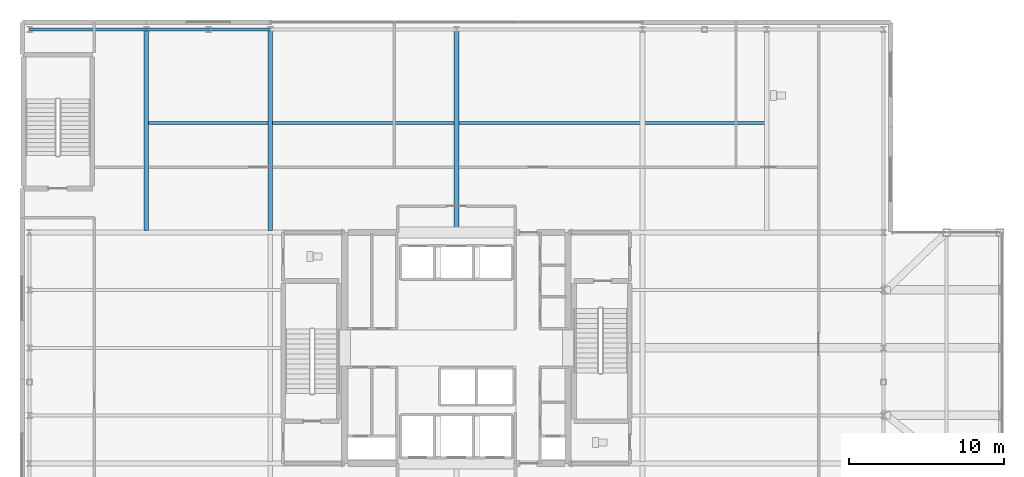
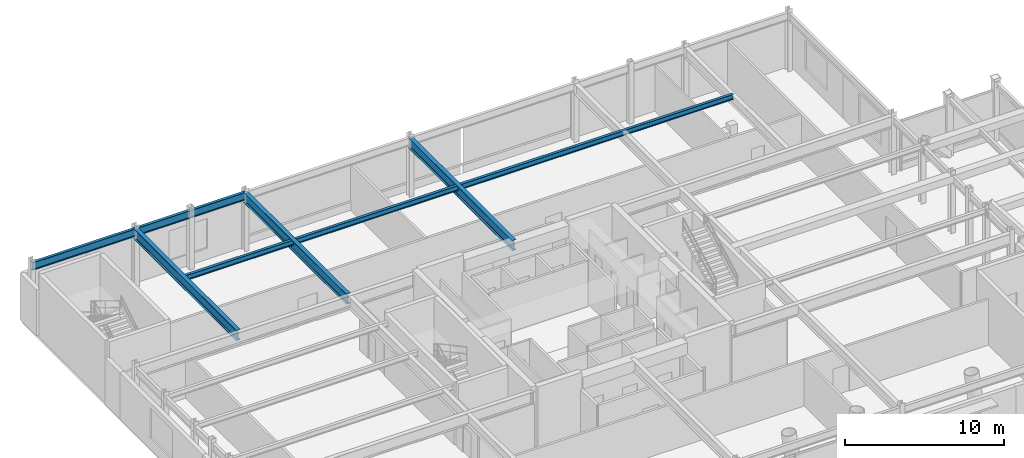
# One storey, part 13 of 26: 6 beams.
"""IFC4 building model written with IfcOpenShell, lengths in metres."""

from ifc_helpers import new_model, si_unit, direction, frame, origin, origin_2d, place, context, subcontext, project, spatial, i_section, extrude, material, material_profile, profile_set, type_object, element, save


model = new_model("IFC4")

# Units and contexts
model_context = context("Model", 3, precision=1e-05, world=origin(), true_north=direction((0.0, 1.0)))
body_context = subcontext(model_context, "Body", "Model", "MODEL_VIEW")
ifc_project = project(units=[si_unit("LENGTHUNIT", "METRE"), si_unit("AREAUNIT", "SQUARE_METRE"), si_unit("VOLUMEUNIT", "CUBIC_METRE"), si_unit("PLANEANGLEUNIT", "RADIAN"), si_unit("MASSUNIT", "GRAM", prefix="KILO")], contexts=[model_context])

# Site, building, storey
site_placement = place(None, origin())
site = spatial("IfcSite", under=ifc_project, at=site_placement, CompositionType="ELEMENT")
building_placement = place(site_placement, origin())
building = spatial("IfcBuilding", under=site, at=building_placement, Name="Veldorina Hangang Commons", CompositionType="ELEMENT")
storey_placement = place(building_placement, frame((0.0, 0.0, 10.0)))
storey = spatial("IfcBuildingStorey", under=building, at=storey_placement, Name="L02", CompositionType="ELEMENT", Elevation=10.0)

# Beams
ifc_material_1 = material(Name="Steel SM355-TMC", Category="steel")
ifc_material_profile_1 = material_profile(ifc_material_1, i_section(OverallWidth=0.199951171875, OverallDepth=0.39990234375, WebThickness=0.008056640625, FlangeThickness=0.012939453125, FilletRadius=0.012939453125, at=origin_2d()), Name="H-400x200x8x13")
ifc_profile_set_1 = profile_set([ifc_material_profile_1], Name="Steel SM355-TMC")
beam_type_1 = type_object("IfcBeamType", Name="BM-JST400", PredefinedType="JOIST", material=ifc_profile_set_1)
beam_1_placement = place(storey_placement, frame((12.0, 38.5, 4.300048828125), z_axis=(1.0, 0.0, 0.0), x_axis=(0.0, 1.0, 0.0)))
element("IfcBeam", 1, at=beam_1_placement, inside=storey, type_object=beam_type_1, Name="L02 north floor joist 4", PredefinedType="JOIST", context=body_context, shape_type="SweptSolid", body=[
    extrude(i_section(OverallWidth=0.199951171875, OverallDepth=0.39990234375, WebThickness=0.008056640625, FlangeThickness=0.012939453125, FilletRadius=0.012939453125, at=origin_2d()), origin(), (0.0, 0.0, 1.0), 40.0),
])
ifc_material_2 = material(Name="Steel SM460-TMC", Category="steel")
ifc_material_profile_2 = material_profile(ifc_material_2, i_section(OverallWidth=0.300048828125, OverallDepth=0.800048828125, WebThickness=0.013916015625, FlangeThickness=0.02587890625, FilletRadius=0.02197265625, at=origin_2d()), Name="H-800x300x14x26")
ifc_profile_set_2 = profile_set([ifc_material_profile_2], Name="Steel SM460-TMC")
beam_type_2 = type_object("IfcBeamType", Name="BM-PG800", PredefinedType="BEAM", material=ifc_profile_set_2)
for number, where, z_axis, x_axis, name in (
    (2, (12.0, 31.590087890625, 4.10009765625), (0.0, 1.0, 0.0), (-1.0, 0.0, 0.0), "L02 north primary girder G2"),
    (3, (20.0, 31.590087890625, 4.10009765625), (0.0, 1.0, 0.0), (-1.0, 0.0, 0.0), "L02 north primary girder G3"),
):
    element("IfcBeam", number, at=place(storey_placement, frame(where, z_axis=z_axis, x_axis=x_axis)), inside=storey, type_object=beam_type_2, Name=name, PredefinedType="BEAM", context=body_context, shape_type="SweptSolid", body=[
        extrude(i_section(OverallWidth=0.300048828125, OverallDepth=0.800048828125, WebThickness=0.013916015625, FlangeThickness=0.02587890625, FilletRadius=0.02197265625, at=origin_2d()), origin(), (0.0, 0.0, 1.0), 12.9599609375),
    ])
beam_2_placement = place(storey_placement, frame((32.0, 31.449951171875, 4.10009765625), z_axis=(0.0, 1.0, 0.0), x_axis=(-1.0, 0.0, 0.0)))
element("IfcBeam", 4, at=beam_2_placement, inside=storey, type_object=beam_type_2, Name="L02 north primary girder G5", PredefinedType="BEAM", context=body_context, shape_type="SweptSolid", body=[
    extrude(i_section(OverallWidth=0.300048828125, OverallDepth=0.800048828125, WebThickness=0.013916015625, FlangeThickness=0.02587890625, FilletRadius=0.02197265625, at=origin_2d()), origin(), (0.0, 0.0, 1.0), 13.10009765625),
])
ifc_material_3 = material(Name="Steel SM420-TMC", Category="steel")
ifc_material_profile_3 = material_profile(ifc_material_3, i_section(OverallWidth=0.199951171875, OverallDepth=0.60009765625, WebThickness=0.010986328125, FlangeThickness=0.01708984375, FilletRadius=0.01806640625, at=origin_2d()), Name="H-600x200x11x17")
ifc_profile_set_3 = profile_set([ifc_material_profile_3], Name="Steel SM420-TMC")
beam_type_3 = type_object("IfcBeamType", Name="BM-SPN600", PredefinedType="SPANDREL", material=ifc_profile_set_3)
beam_3_placement = place(storey_placement, frame((4.449951171875, 44.550048828125, 4.199951171875), z_axis=(1.0, 0.0, 0.0), x_axis=(0.0, 1.0, 0.0)))
element("IfcBeam", 5, at=beam_3_placement, inside=storey, type_object=beam_type_3, Name="L02 north spandrel beam 1", PredefinedType="SPANDREL", context=body_context, shape_type="SweptSolid", body=[
    extrude(i_section(OverallWidth=0.199951171875, OverallDepth=0.60009765625, WebThickness=0.010986328125, FlangeThickness=0.01708984375, FilletRadius=0.01806640625, at=origin_2d()), origin(), (0.0, 0.0, 1.0), 7.550048828125),
])
beam_4_placement = place(storey_placement, frame((12.0, 44.550048828125, 4.199951171875), z_axis=(1.0, 0.0, 0.0), x_axis=(0.0, 1.0, 0.0)))
element("IfcBeam", 6, at=beam_4_placement, inside=storey, type_object=beam_type_3, Name="L02 north spandrel beam 2", PredefinedType="SPANDREL", context=body_context, shape_type="SweptSolid", body=[
    extrude(i_section(OverallWidth=0.199951171875, OverallDepth=0.60009765625, WebThickness=0.010986328125, FlangeThickness=0.01708984375, FilletRadius=0.01806640625, at=origin_2d()), origin(), (0.0, 0.0, 1.0), 8.0),
])

save(model, "model.ifc")
